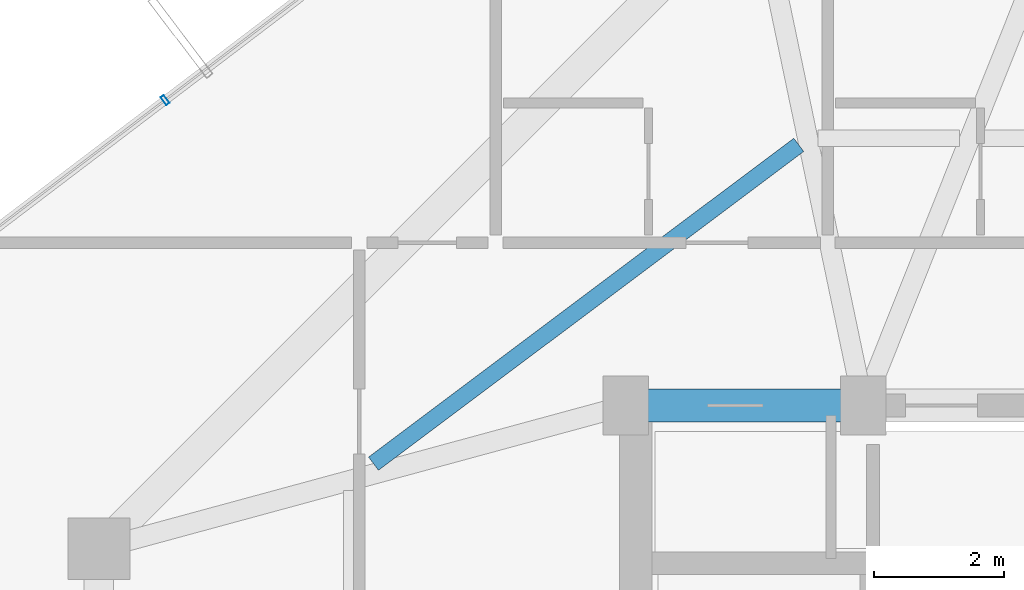
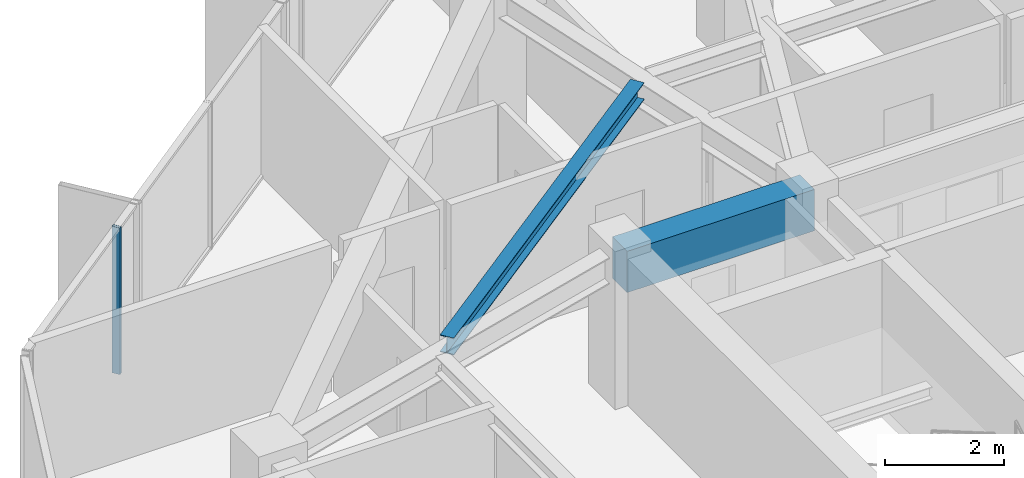
# One storey, part 15 of 32: 2 beams, 1 member, 1 element without a shape of its own.
"""IFC4 building model written with IfcOpenShell, lengths in metres."""

from ifc_helpers import new_model, si_unit, direction, frame, origin, origin_2d, place, context, subcontext, project, spatial, rectangle, hollow_rectangle, i_section, extrude, source, transform, mapped, material, layer, layer_set, material_profile, profile_set, type_object, element, aggregate, save


model = new_model("IFC4")

# Units and contexts
model_context = context("Model", 3, precision=1e-05, world=origin(), true_north=direction((0.0, 1.0)))
body_context = subcontext(model_context, "Body", "Model", "MODEL_VIEW")
ifc_project = project(units=[si_unit("LENGTHUNIT", "METRE"), si_unit("AREAUNIT", "SQUARE_METRE"), si_unit("VOLUMEUNIT", "CUBIC_METRE"), si_unit("PLANEANGLEUNIT", "RADIAN"), si_unit("MASSUNIT", "GRAM", prefix="KILO")], contexts=[model_context])

# Site, building, storey
site_placement = place(None, origin())
site = spatial("IfcSite", under=ifc_project, at=site_placement, CompositionType="ELEMENT")
building_placement = place(site_placement, origin())
building = spatial("IfcBuilding", under=site, at=building_placement, Name="Veraguas Prism Commons", CompositionType="ELEMENT")
storey_placement = place(building_placement, frame((0.0, 0.0, 182.10009765625)))
storey = spatial("IfcBuildingStorey", under=building, at=storey_placement, Name="L51", CompositionType="ELEMENT", Elevation=182.10009765625)

# Beams
ifc_material_1 = material(Name="Concrete C50/60", Category="concrete")
ifc_material_profile_1 = material_profile(ifc_material_1, rectangle(XDim=0.5, YDim=0.85009765625, at=origin_2d()), Name="RC500X850")
ifc_profile_set_1 = profile_set([ifc_material_profile_1], Name="Concrete C50/60")
beam_type_1 = type_object("IfcBeamType", Name="Core Coupling Beam RC 500x850", PredefinedType="BEAM", material=ifc_profile_set_1)
beam_1_placement = place(storey_placement, frame((17.199951171875, 31.0, 2.58984375), z_axis=(1.0, 0.0, 0.0), x_axis=(0.0, 1.0, 0.0)))
element("IfcBeam", 1, at=beam_1_placement, inside=storey, type_object=beam_type_1, Name="Core Coupling Beam L51-CRN1", PredefinedType="BEAM", context=body_context, shape_type="SweptSolid", body=[
    extrude(rectangle(XDim=0.5, YDim=0.85009765625, at=origin_2d()), origin(), (0.0, 0.0, 1.0), 3.650146484375),
])
ifc_material_2 = material(Name="Steel ASTM A992 Grade 50", Category="steel")
ifc_material_profile_2 = material_profile(ifc_material_2, i_section(OverallWidth=0.25390625, OverallDepth=0.35302734375, WebThickness=0.009521484375, FlangeThickness=0.016357421875, at=origin_2d()), Name="W360X91")
ifc_profile_set_2 = profile_set([ifc_material_profile_2], Name="Steel ASTM A992 Grade 50")
beam_type_2 = type_object("IfcBeamType", Name="Upper Floor Joist W360x91", PredefinedType="JOIST", material=ifc_profile_set_2)
beam_2_placement = place(storey_placement, frame((19.8564453125, 35.00634765625, 2.83837890625), z_axis=(-0.800060962004, -0.599918708724, 0.0), x_axis=(0.599918708724, -0.800060962004, 0.0)))
element("IfcBeam", 2, at=beam_2_placement, inside=storey, type_object=beam_type_2, Name="Composite Floor Joist L51-JS06", PredefinedType="JOIST", context=body_context, shape_type="SweptSolid", body=[
    extrude(i_section(OverallWidth=0.25390625, OverallDepth=0.35302734375, WebThickness=0.009521484375, FlangeThickness=0.016357421875, at=origin_2d()), origin(), (0.0, 0.0, 1.0), 8.169189453125),
])

# Curtain wall, member
ifc_material_3 = material(Name="Anodised aluminium EN AW-6063 T6", Category="aluminium")
ifc_layer = layer(ifc_material_3, 0.14990234375, Name="Unitised Flush Curtain Wall Zone 3", Category="aluminium")
ifc_layer_set = layer_set([ifc_layer], Name="Anodised aluminium EN AW-6063 T6")
curtain_wall_type = type_object("IfcCurtainWallType", Name="Unitised Flush Curtain Wall Zone 3", PredefinedType="NOTDEFINED", material=ifc_layer_set)
curtain_wall_placement = place(storey_placement, origin())
curtain_wall = element("IfcCurtainWall", 3, at=curtain_wall_placement, inside=storey, type_object=curtain_wall_type, Name="Tower Facade Curtain Wall L51-F2", PredefinedType="NOTDEFINED")
ifc_material_profile_3 = material_profile(ifc_material_3, hollow_rectangle(XDim=0.06005859375, YDim=0.14990234375, WallThickness=0.0029296875, at=origin_2d()), Name="AL60X150X3")
ifc_profile_set_3 = profile_set([ifc_material_profile_3], Name="Anodised aluminium EN AW-6063 T6")
member_type = type_object("IfcMemberType", Name="Curtain Wall Mullion Upper AL 60x150x3", PredefinedType="MULLION", material=ifc_profile_set_3)
shared_shape = source(origin(), body_context, "Body", "SweptSolid", [
    extrude(hollow_rectangle(XDim=0.06005859375, YDim=0.14990234375, WallThickness=0.0029296875, at=origin_2d()), origin(), (0.0, 0.0, 1.0), 3.014892578125),
])
member_placement = place(storey_placement, frame((10.11767578125, 35.693359375, 0.0), z_axis=(0.0, 0.0, 1.0), x_axis=(-0.796104465545, -0.605159218668, 0.0)))
member = element("IfcMember", 4, at=member_placement, type_object=member_type, Name="CW-Z3 Mullion 4", PredefinedType="MULLION", context=body_context, shape_type="MappedRepresentation", body=[
    mapped(shared_shape, transform((0.0, 0.0, 0.0), scale=1.0)),
])
aggregate(curtain_wall, [member])

save(model, "model.ifc")
